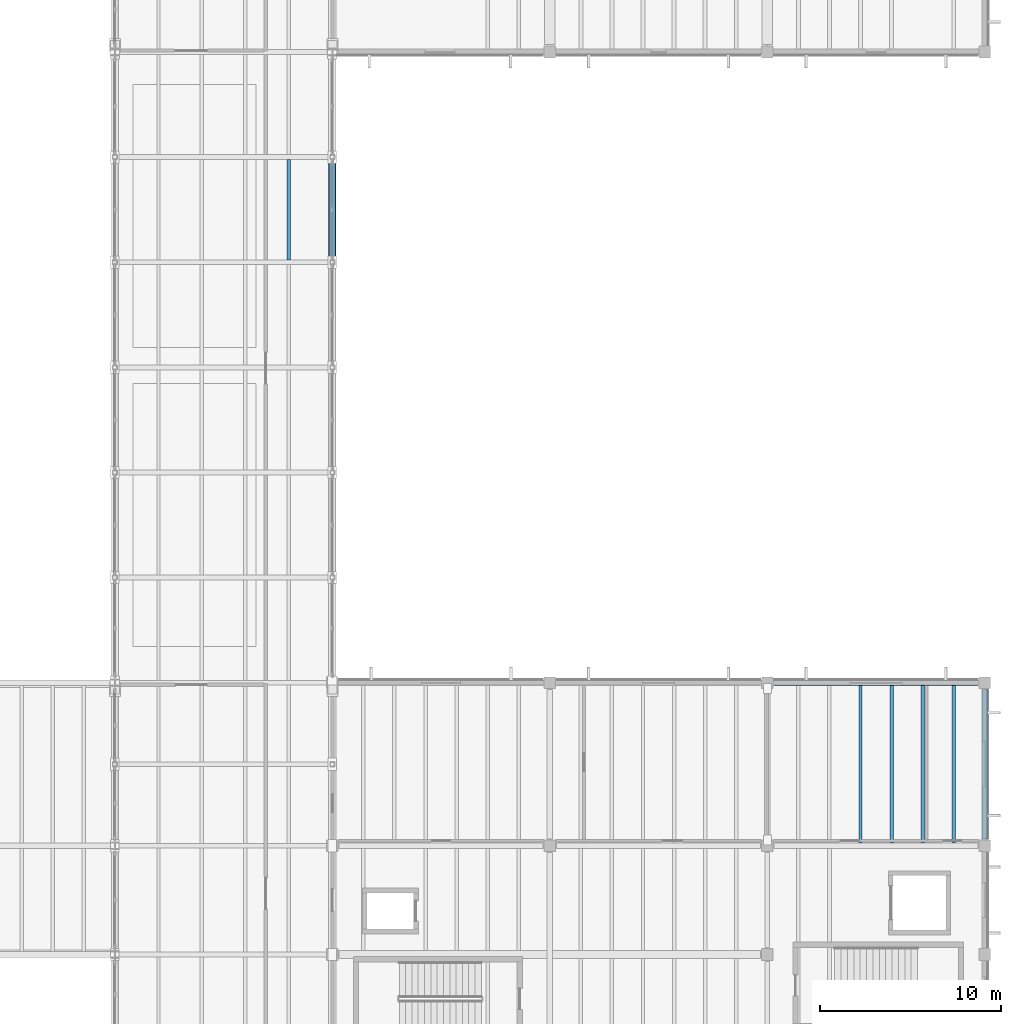
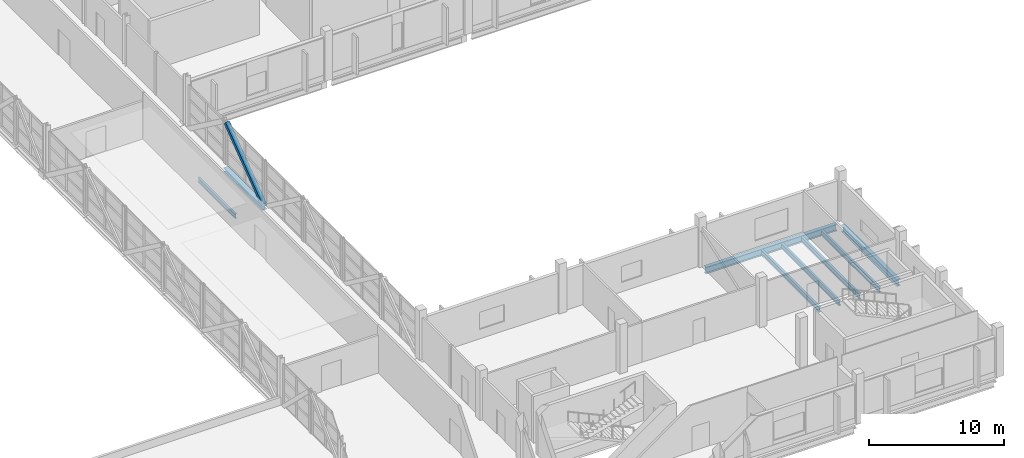
# One storey, part 34 of 63: 8 beams, 1 member.
"""IFC4 building model written with IfcOpenShell, lengths in metres."""

from ifc_helpers import new_model, si_unit, direction, frame, origin, origin_2d, place, context, subcontext, project, spatial, hollow_rectangle, i_section, extrude, material, material_profile, profile_set, type_object, element, save


model = new_model("IFC4")

# Units and contexts
model_context = context("Model", 3, precision=1e-05, world=origin(), true_north=direction((0.0, 1.0)))
body_context = subcontext(model_context, "Body", "Model", "MODEL_VIEW")
ifc_project = project(units=[si_unit("LENGTHUNIT", "METRE"), si_unit("AREAUNIT", "SQUARE_METRE"), si_unit("VOLUMEUNIT", "CUBIC_METRE"), si_unit("PLANEANGLEUNIT", "RADIAN"), si_unit("MASSUNIT", "GRAM", prefix="KILO")], contexts=[model_context])

# Site, building, storey
site_placement = place(None, origin())
site = spatial("IfcSite", under=ifc_project, at=site_placement, CompositionType="ELEMENT")
building_placement = place(site_placement, origin())
building = spatial("IfcBuilding", under=site, at=building_placement, Name="Kelmvaro Bay Concert Hall", CompositionType="ELEMENT")
storey_placement = place(building_placement, frame((0.0, 0.0, 13.800048828125)))
storey = spatial("IfcBuildingStorey", under=building, at=storey_placement, Name="L03", CompositionType="ELEMENT", Elevation=13.800048828125)

# Beam
ifc_material_1 = material(Name="Steel ASTM A992 Grade 50", Category="steel")
ifc_material_profile_1 = material_profile(ifc_material_1, i_section(OverallWidth=0.177978515625, OverallDepth=0.406005859375, WebThickness=0.0078125, FlangeThickness=0.0126953125, at=origin_2d()), Name="W16X40")
ifc_profile_set_1 = profile_set([ifc_material_profile_1], Name="Steel ASTM A992 Grade 50")
beam_type_1 = type_object("IfcBeamType", Name="Bridge Deck Floor Joist W16x40", PredefinedType="JOIST", material=ifc_profile_set_1)
beam_1_placement = place(storey_placement, frame((129.60009765625, 62.33349609375, -0.532958984375), z_axis=(0.0, 1.0, 0.0), x_axis=(-1.0, 0.0, 0.0)))
element("IfcBeam", 1, at=beam_1_placement, inside=storey, type_object=beam_type_1, Name="Bridge Deck Joist L03-13", PredefinedType="JOIST", context=body_context, shape_type="SweptSolid", body=[
    extrude(i_section(OverallWidth=0.177978515625, OverallDepth=0.406005859375, WebThickness=0.0078125, FlangeThickness=0.0126953125, at=origin_2d()), origin(), (0.0, 0.0, 1.0), 5.532958984375),
])

# Member
ifc_material_2 = material(Name="Steel ASTM A500 Grade C", Category="steel")
ifc_material_profile_2 = material_profile(ifc_material_2, hollow_rectangle(XDim=0.35009765625, YDim=0.35009765625, WallThickness=0.01611328125, at=origin_2d()), Name="HSS350X350X16")
ifc_profile_set_2 = profile_set([ifc_material_profile_2], Name="Steel ASTM A500 Grade C")
member_type = type_object("IfcMemberType", Name="Bridge Standard Web Diagonal HSS350x350x16", PredefinedType="BRACE", material=ifc_profile_set_2)
member_placement = place(storey_placement, frame((132.0, 62.359130859375, -0.295654296875), z_axis=(0.0, 0.802031459951, 0.597281790488), x_axis=(-1.0, 0.0, 0.0)))
element("IfcMember", 2, at=member_placement, inside=storey, type_object=member_type, Name="Bridge Truss E Web Diagonal 13", PredefinedType="BRACE", context=body_context, shape_type="SweptSolid", body=[
    extrude(hollow_rectangle(XDim=0.35009765625, YDim=0.35009765625, WallThickness=0.01611328125, at=origin_2d()), origin(), (0.0, 0.0, 1.0), 6.834716796875),
])

# Beams
ifc_material_3 = material(Name="Steel ASTM A992 Grade 50", Category="steel")
ifc_material_profile_3 = material_profile(ifc_material_3, i_section(OverallWidth=0.39892578125, OverallDepth=0.385986328125, WebThickness=0.02099609375, FlangeThickness=0.033203125, at=origin_2d()), Name="W14X176")
ifc_profile_set_3 = profile_set([ifc_material_profile_3], Name="Steel ASTM A992 Grade 50")
beam_type_2 = type_object("IfcBeamType", Name="Bridge Truss Bottom Chord W14x176", PredefinedType="BEAM", material=ifc_profile_set_3)
beam_2_placement = place(storey_placement, frame((132.0, 62.199951171875, -0.52294921875), z_axis=(0.0, 1.0, 0.0), x_axis=(-1.0, 0.0, 0.0)))
element("IfcBeam", 3, at=beam_2_placement, inside=storey, type_object=beam_type_2, Name="Bridge Truss E Bottom Chord 13", PredefinedType="BEAM", context=body_context, shape_type="SweptSolid", body=[
    extrude(i_section(OverallWidth=0.39892578125, OverallDepth=0.385986328125, WebThickness=0.02099609375, FlangeThickness=0.033203125, at=origin_2d()), origin(), (0.0, 0.0, 1.0), 5.800048828125),
])
ifc_material_4 = material(Name="Steel ASTM A992 Grade 50", Category="steel")
ifc_material_profile_4 = material_profile(ifc_material_4, i_section(OverallWidth=0.323974609375, OverallDepth=0.611083984375, WebThickness=0.0126953125, FlangeThickness=0.01904296875, at=origin_2d()), Name="W24X104")
ifc_profile_set_4 = profile_set([ifc_material_profile_4], Name="Steel ASTM A992 Grade 50")
beam_type_3 = type_object("IfcBeamType", Name="Foyer Frame Girder W24x104", PredefinedType="BEAM", material=ifc_profile_set_4)
beam_3_placement = place(storey_placement, frame((156.375, 39.0, -0.62548828125), z_axis=(1.0, 0.0, 0.0), x_axis=(0.0, 1.0, 0.0)))
element("IfcBeam", 4, at=beam_3_placement, inside=storey, type_object=beam_type_3, Name="L03 Girder BM-L03-EW-1369", PredefinedType="BEAM", context=body_context, shape_type="SweptSolid", body=[
    extrude(i_section(OverallWidth=0.323974609375, OverallDepth=0.611083984375, WebThickness=0.0126953125, FlangeThickness=0.01904296875, at=origin_2d()), origin(), (0.0, 0.0, 1.0), 11.25),
])
beam_4_placement = place(storey_placement, frame((168.0, 30.375, -0.62548828125), z_axis=(0.0, 1.0, 0.0), x_axis=(-1.0, 0.0, 0.0)))
element("IfcBeam", 5, at=beam_4_placement, inside=storey, type_object=beam_type_3, Name="L03 Girder BM-L03-NS-1463", PredefinedType="BEAM", context=body_context, shape_type="SweptSolid", body=[
    extrude(i_section(OverallWidth=0.323974609375, OverallDepth=0.611083984375, WebThickness=0.0126953125, FlangeThickness=0.01904296875, at=origin_2d()), origin(), (0.0, 0.0, 1.0), 8.25),
])
ifc_material_5 = material(Name="Steel ASTM A992 Grade 50", Category="steel")
ifc_material_profile_5 = material_profile(ifc_material_5, i_section(OverallWidth=0.19091796875, OverallDepth=0.45703125, WebThickness=0.009033203125, FlangeThickness=0.014404296875, at=origin_2d()), Name="W18X50")
ifc_profile_set_5 = profile_set([ifc_material_profile_5], Name="Steel ASTM A992 Grade 50")
beam_type_4 = type_object("IfcBeamType", Name="Standard Composite Floor Joist W18x50", PredefinedType="JOIST", material=ifc_profile_set_5)
for number, where, z_axis, x_axis, name in (
    (6, (161.142822265625, 30.162109375, -0.548583984375), (0.0, 1.0, 0.0), (-1.0, 0.0, 0.0), "L03 Floor Joist JST-L03-1587"),
    (7, (162.857177734375, 30.162109375, -0.548583984375), (0.0, 1.0, 0.0), (-1.0, 0.0, 0.0), "L03 Floor Joist JST-L03-1588"),
    (8, (164.5712890625, 30.162109375, -0.548583984375), (0.0, 1.0, 0.0), (-1.0, 0.0, 0.0), "L03 Floor Joist JST-L03-1589"),
    (9, (166.28564453125, 30.162109375, -0.548583984375), (0.0, 1.0, 0.0), (-1.0, 0.0, 0.0), "L03 Floor Joist JST-L03-1590"),
):
    element("IfcBeam", number, at=place(storey_placement, frame(where, z_axis=z_axis, x_axis=x_axis)), inside=storey, type_object=beam_type_4, Name=name, PredefinedType="JOIST", context=body_context, shape_type="SweptSolid", body=[
        extrude(i_section(OverallWidth=0.19091796875, OverallDepth=0.45703125, WebThickness=0.009033203125, FlangeThickness=0.014404296875, at=origin_2d()), origin(), (0.0, 0.0, 1.0), 8.67578125),
    ])

save(model, "model.ifc")
